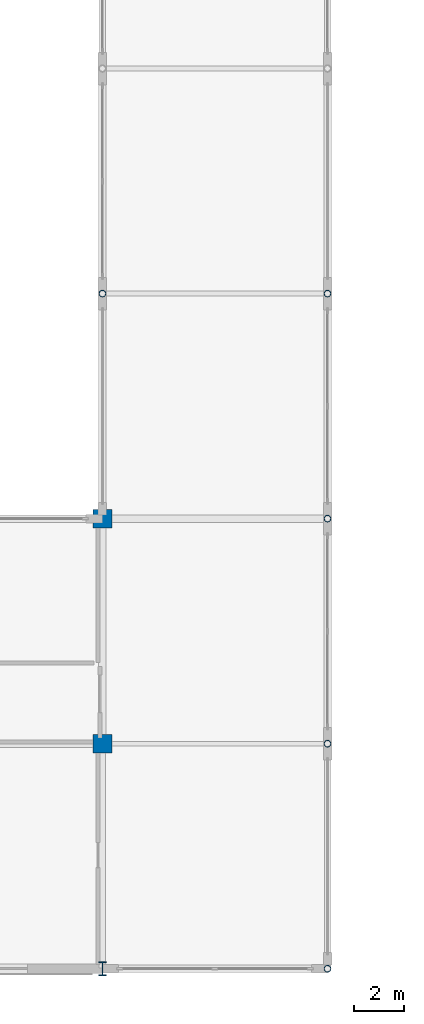
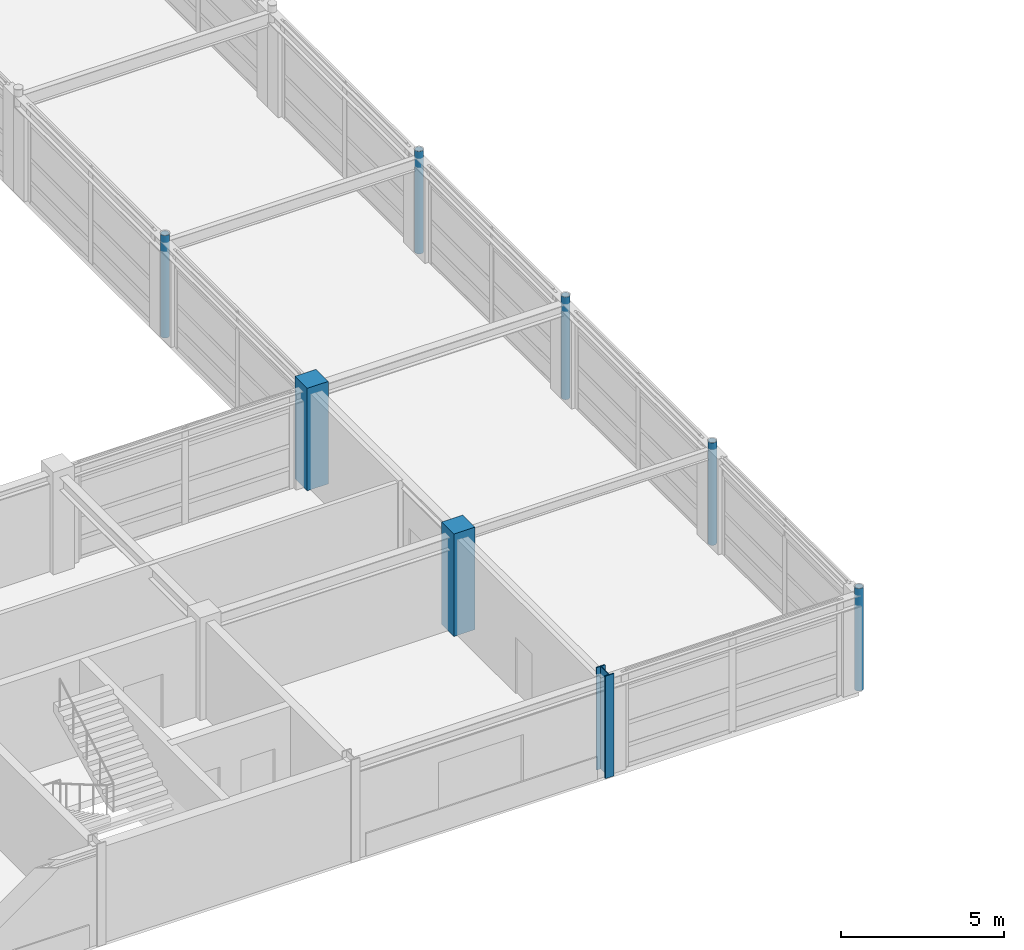
# One storey, part 4 of 79: 8 columns.
"""IFC4 building model written with IfcOpenShell, lengths in metres."""

from ifc_helpers import new_model, si_unit, direction, frame, origin, origin_2d, place, context, subcontext, project, spatial, rectangle, hollow_circle, i_section, extrude, material, material_profile, profile_set, type_object, element, save


model = new_model("IFC4")

# Units and contexts
model_context = context("Model", 3, precision=1e-05, world=origin(), true_north=direction((0.0, 1.0)))
body_context = subcontext(model_context, "Body", "Model", "MODEL_VIEW")
ifc_project = project(units=[si_unit("LENGTHUNIT", "METRE"), si_unit("AREAUNIT", "SQUARE_METRE"), si_unit("VOLUMEUNIT", "CUBIC_METRE"), si_unit("PLANEANGLEUNIT", "RADIAN"), si_unit("MASSUNIT", "GRAM", prefix="KILO")], contexts=[model_context])

# Site, building, storey
site_placement = place(None, origin())
site = spatial("IfcSite", under=ifc_project, at=site_placement, CompositionType="ELEMENT")
building_placement = place(site_placement, origin())
building = spatial("IfcBuilding", under=site, at=building_placement, Name="Palais des Congres Ocreval", CompositionType="ELEMENT")
storey_placement = place(building_placement, frame((0.0, 0.0, 4.320068359375)))
storey = spatial("IfcBuildingStorey", under=building, at=storey_placement, Name="L01", CompositionType="ELEMENT", Elevation=4.320068359375)

# Columns
ifc_material_1 = material(Name="Steel S355", Category="steel")
ifc_material_profile_1 = material_profile(ifc_material_1, hollow_circle(Radius=0.136474609375, WallThickness=0.012451171875, at=origin_2d()), Name="CHS 273x12.5")
ifc_profile_set_1 = profile_set([ifc_material_profile_1], Name="Steel S355")
column_type_1 = type_object("IfcColumnType", Name="Column CHS 273x12.5 Steel S355", PredefinedType="COLUMN", material=ifc_profile_set_1)
for number, where, z_axis, x_axis, name in (
    (1, (72.0, 27.0, 0.0), (0.0, 0.0, 1.0), (1.0, 0.0, 0.0), "Column C17 L01"),
    (2, (81.0, 0.0, 0.0), (0.0, 0.0, 1.0), (1.0, 0.0, 0.0), "Column C17 L01"),
    (3, (81.0, 9.0, 0.0), (0.0, 0.0, 1.0), (1.0, 0.0, 0.0), "Column C17 L01"),
    (4, (81.0, 18.0, 0.0), (0.0, 0.0, 1.0), (1.0, 0.0, 0.0), "Column C17 L01"),
    (5, (81.0, 27.0, 0.0), (0.0, 0.0, 1.0), (1.0, 0.0, 0.0), "Column C17 L01"),
):
    element("IfcColumn", number, at=place(storey_placement, frame(where, z_axis=z_axis, x_axis=x_axis)), inside=storey, type_object=column_type_1, Name=name, PredefinedType="COLUMN", context=body_context, shape_type="SweptSolid", body=[
        extrude(hollow_circle(Radius=0.136474609375, WallThickness=0.012451171875, at=origin_2d()), origin(), (0.0, 0.0, 1.0), 3.83984375),
    ])
ifc_material_2 = material(Name="Steel S460", Category="steel")
ifc_material_profile_2 = material_profile(ifc_material_2, i_section(OverallWidth=0.305908203125, OverallDepth=0.572021484375, WebThickness=0.02099609375, FlangeThickness=0.0400390625, at=origin_2d()), Name="HEM 550")
ifc_profile_set_2 = profile_set([ifc_material_profile_2], Name="Steel S460")
column_type_2 = type_object("IfcColumnType", Name="Column HEM 550 Steel S460", PredefinedType="COLUMN", material=ifc_profile_set_2)
column_placement = place(storey_placement, frame((72.0, 0.0, 0.0), z_axis=(0.0, 0.0, 1.0), x_axis=(1.0, 0.0, 0.0)))
element("IfcColumn", 6, at=column_placement, inside=storey, type_object=column_type_2, Name="Column C05 L01", PredefinedType="COLUMN", context=body_context, shape_type="SweptSolid", body=[
    extrude(i_section(OverallWidth=0.305908203125, OverallDepth=0.572021484375, WebThickness=0.02099609375, FlangeThickness=0.0400390625, at=origin_2d()), origin(), (0.0, 0.0, 1.0), 3.83984375),
])
ifc_material_3 = material(Name="Concrete C40/50", Category="concrete")
ifc_material_profile_3 = material_profile(ifc_material_3, rectangle(XDim=0.75, YDim=0.75, at=origin_2d()), Name="RC 750x750")
ifc_profile_set_3 = profile_set([ifc_material_profile_3], Name="Concrete C40/50")
column_type_3 = type_object("IfcColumnType", Name="Column RC 750x750 Concrete C40/50", PredefinedType="COLUMN", material=ifc_profile_set_3)
for number, where, z_axis, x_axis, name in (
    (7, (72.0, 9.0, 0.0), (0.0, 0.0, 1.0), (1.0, 0.0, 0.0), "Column C22 L01"),
    (8, (72.0, 18.0, 0.0), (0.0, 0.0, 1.0), (1.0, 0.0, 0.0), "Column C22 L01"),
):
    element("IfcColumn", number, at=place(storey_placement, frame(where, z_axis=z_axis, x_axis=x_axis)), inside=storey, type_object=column_type_3, Name=name, PredefinedType="COLUMN", context=body_context, shape_type="SweptSolid", body=[
        extrude(rectangle(XDim=0.75, YDim=0.75, at=origin_2d()), origin(), (0.0, 0.0, 1.0), 3.83984375),
    ])

save(model, "model.ifc")
